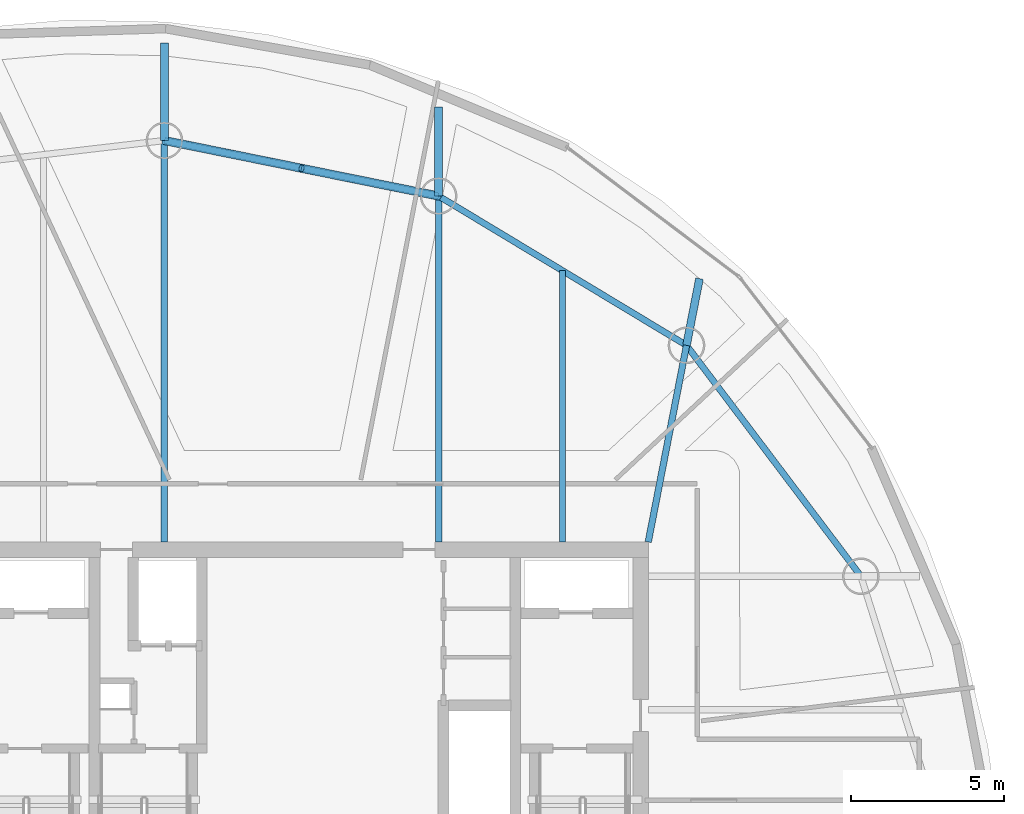
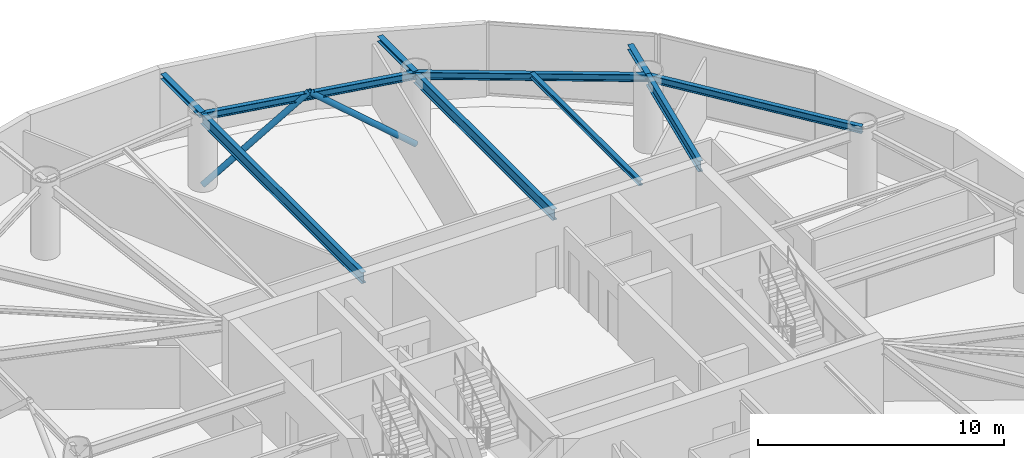
# One storey, part 9 of 16: 10 beams, 2 members.
"""IFC4 building model written with IfcOpenShell, lengths in metres."""

from ifc_helpers import new_model, si_unit, direction, frame, origin, origin_2d, place, context, subcontext, project, spatial, hollow_circle, i_section, extrude, material, material_profile, profile_set, type_object, element, save


model = new_model("IFC4")

# Units and contexts
model_context = context("Model", 3, precision=1e-05, world=origin(), true_north=direction((0.0, 1.0)))
body_context = subcontext(model_context, "Body", "Model", "MODEL_VIEW")
ifc_project = project(units=[si_unit("LENGTHUNIT", "METRE"), si_unit("AREAUNIT", "SQUARE_METRE"), si_unit("VOLUMEUNIT", "CUBIC_METRE"), si_unit("PLANEANGLEUNIT", "RADIAN"), si_unit("MASSUNIT", "GRAM", prefix="KILO")], contexts=[model_context])

# Site, building, storey
site_placement = place(None, origin())
site = spatial("IfcSite", under=ifc_project, at=site_placement, CompositionType="ELEMENT")
building_placement = place(site_placement, origin())
building = spatial("IfcBuilding", under=site, at=building_placement, Name="Bramvorn Convention Spire", CompositionType="ELEMENT")
storey_placement = place(building_placement, frame((0.0, 0.0, 209.699951171875)))
storey = spatial("IfcBuildingStorey", under=building, at=storey_placement, Name="L53", CompositionType="ELEMENT", Elevation=209.699951171875)

# Beams
ifc_material = material(Name="Steel CSA G40.21 Grade 350 (350W)", Category="steel")
ifc_material_profile_1 = material_profile(ifc_material, i_section(OverallWidth=0.201904296875, OverallDepth=0.2470703125, WebThickness=0.00732421875, FlangeThickness=0.010986328125, FilletRadius=0.011962890625, at=origin_2d()))
ifc_profile_set_1 = profile_set([ifc_material_profile_1], Name="Steel CSA G40.21 Grade 350 (350W) - W250X49")
beam_type_1 = type_object("IfcBeamType", Name="BM-W250X49", PredefinedType="JOIST", material=ifc_profile_set_1)
beam_1_placement = place(storey_placement, frame((46.445556640625, 33.449951171875, 3.49658203125), z_axis=(0.0, 1.0, 0.0), x_axis=(-1.0, 0.0, 0.0)))
element("IfcBeam", 1, at=beam_1_placement, inside=storey, type_object=beam_type_1, Name="L53 composite floor joist 05", PredefinedType="JOIST", context=body_context, shape_type="SweptSolid", body=[
    extrude(i_section(OverallWidth=0.201904296875, OverallDepth=0.2470703125, WebThickness=0.00732421875, FlangeThickness=0.010986328125, FilletRadius=0.011962890625, at=origin_2d()), origin(), (0.0, 0.0, 1.0), 8.878662109375),
])
ifc_material_profile_2 = material_profile(ifc_material, i_section(OverallWidth=0.25390625, OverallDepth=0.2529296875, WebThickness=0.008544921875, FlangeThickness=0.01416015625, FilletRadius=0.011962890625, at=origin_2d()))
ifc_profile_set_2 = profile_set([ifc_material_profile_2], Name="Steel CSA G40.21 Grade 350 (350W) - W250X73")
beam_type_2 = type_object("IfcBeamType", Name="BM-W250X73", PredefinedType="BEAM", material=ifc_profile_set_2)
beam_2_placement = place(storey_placement, frame((50.501953125, 39.885009765625, 3.49365234375), z_axis=(0.191025395902, 0.981585094691, 0.0), x_axis=(-0.981585094691, 0.191025395902, 0.0)))
element("IfcBeam", 2, at=beam_2_placement, inside=storey, type_object=beam_type_2, Name="L53 slab-edge cantilever tip beam MC05", PredefinedType="BEAM", context=body_context, shape_type="SweptSolid", body=[
    extrude(i_section(OverallWidth=0.25390625, OverallDepth=0.2529296875, WebThickness=0.008544921875, FlangeThickness=0.01416015625, FilletRadius=0.011962890625, at=origin_2d()), origin(), (0.0, 0.0, 1.0), 2.223876953125),
])
beam_3_placement = place(storey_placement, frame((42.38916015625, 44.772216796875, 3.49365234375), z_axis=(0.0, 1.0, 0.0), x_axis=(-1.0, 0.0, 0.0)))
element("IfcBeam", 3, at=beam_3_placement, inside=storey, type_object=beam_type_2, Name="L53 slab-edge cantilever tip beam MC06", PredefinedType="BEAM", context=body_context, shape_type="SweptSolid", body=[
    extrude(i_section(OverallWidth=0.25390625, OverallDepth=0.2529296875, WebThickness=0.008544921875, FlangeThickness=0.01416015625, FilletRadius=0.011962890625, at=origin_2d()), origin(), (0.0, 0.0, 1.0), 2.9150390625),
])
beam_4_placement = place(storey_placement, frame((33.416259765625, 46.58837890625, 3.49365234375), z_axis=(0.0, 1.0, 0.0), x_axis=(-1.0, 0.0, 0.0)))
element("IfcBeam", 4, at=beam_4_placement, inside=storey, type_object=beam_type_2, Name="L53 slab-edge cantilever tip beam MC07", PredefinedType="BEAM", context=body_context, shape_type="SweptSolid", body=[
    extrude(i_section(OverallWidth=0.25390625, OverallDepth=0.2529296875, WebThickness=0.008544921875, FlangeThickness=0.01416015625, FilletRadius=0.011962890625, at=origin_2d()), origin(), (0.0, 0.0, 1.0), 3.199951171875),
])
ifc_material_profile_3 = material_profile(ifc_material, i_section(OverallWidth=0.205078125, OverallDepth=0.35400390625, WebThickness=0.009521484375, FlangeThickness=0.016845703125, FilletRadius=0.014892578125, at=origin_2d()))
ifc_profile_set_3 = profile_set([ifc_material_profile_3], Name="Steel CSA G40.21 Grade 350 (350W) - W360X79")
beam_type_3 = type_object("IfcBeamType", Name="BM-W360X79", PredefinedType="JOIST", material=ifc_profile_set_3)
for number, where, z_axis, x_axis, name in (
    (5, (56.21044921875, 32.327392578125, 3.443115234375), (-0.602718581414, 0.797953827999, 0.0), (-0.797953827999, -0.602718581414, 0.0), "L53 mega-column ring beam 04"),
    (6, (50.501953125, 39.885009765625, 3.443115234375), (-0.856581795745, 0.516011266543, 0.0), (-0.516011266543, -0.856581795745, 0.0), "L53 mega-column ring beam 05"),
):
    element("IfcBeam", number, at=place(storey_placement, frame(where, z_axis=z_axis, x_axis=x_axis)), inside=storey, type_object=beam_type_3, Name=name, PredefinedType="JOIST", context=body_context, shape_type="SweptSolid", body=[
        extrude(i_section(OverallWidth=0.205078125, OverallDepth=0.35400390625, WebThickness=0.009521484375, FlangeThickness=0.016845703125, FilletRadius=0.014892578125, at=origin_2d()), origin(), (0.0, 0.0, 1.0), 9.47119140625),
    ])
beam_5_placement = place(storey_placement, frame((42.38916015625, 44.772216796875, 3.443115234375), z_axis=(-0.980124701676, 0.198382381187, 0.0), x_axis=(-0.198382381187, -0.980124701676, 0.0)))
element("IfcBeam", 7, at=beam_5_placement, inside=storey, type_object=beam_type_3, Name="L53 mega-column ring beam 06", PredefinedType="JOIST", context=body_context, shape_type="SweptSolid", body=[
    extrude(i_section(OverallWidth=0.205078125, OverallDepth=0.35400390625, WebThickness=0.009521484375, FlangeThickness=0.016845703125, FilletRadius=0.014892578125, at=origin_2d()), origin(), (0.0, 0.0, 1.0), 9.15478515625),
])
ifc_material_profile_4 = material_profile(ifc_material, i_section(OverallWidth=0.2119140625, OverallDepth=0.5439453125, WebThickness=0.01318359375, FlangeThickness=0.021240234375, FilletRadius=0.01904296875, at=origin_2d()))
ifc_profile_set_4 = profile_set([ifc_material_profile_4], Name="Steel CSA G40.21 Grade 350 (350W) - W530X123")
beam_type_4 = type_object("IfcBeamType", Name="BM-W530X123", PredefinedType="BEAM", material=ifc_profile_set_4)
beam_6_placement = place(storey_placement, frame((49.25, 33.449951171875, 3.34814453125), z_axis=(0.190971329886, 0.981595614885, 0.0), x_axis=(-0.981595614885, 0.190971329886, 0.0)))
element("IfcBeam", 8, at=beam_6_placement, inside=storey, type_object=beam_type_4, Name="L53 radial floor girder MC05", PredefinedType="BEAM", context=body_context, shape_type="SweptSolid", body=[
    extrude(i_section(OverallWidth=0.2119140625, OverallDepth=0.5439453125, WebThickness=0.01318359375, FlangeThickness=0.021240234375, FilletRadius=0.01904296875, at=origin_2d()), origin(), (0.0, 0.0, 1.0), 6.5556640625),
])
beam_7_placement = place(storey_placement, frame((42.38916015625, 33.449951171875, 3.34814453125), z_axis=(0.0, 1.0, 0.0), x_axis=(-1.0, 0.0, 0.0)))
element("IfcBeam", 9, at=beam_7_placement, inside=storey, type_object=beam_type_4, Name="L53 radial floor girder MC06", PredefinedType="BEAM", context=body_context, shape_type="SweptSolid", body=[
    extrude(i_section(OverallWidth=0.2119140625, OverallDepth=0.5439453125, WebThickness=0.01318359375, FlangeThickness=0.021240234375, FilletRadius=0.01904296875, at=origin_2d()), origin(), (0.0, 0.0, 1.0), 11.322265625),
])
beam_8_placement = place(storey_placement, frame((33.416259765625, 33.449951171875, 3.34814453125), z_axis=(0.0, 1.0, 0.0), x_axis=(-1.0, 0.0, 0.0)))
element("IfcBeam", 10, at=beam_8_placement, inside=storey, type_object=beam_type_4, Name="L53 radial floor girder MC07", PredefinedType="BEAM", context=body_context, shape_type="SweptSolid", body=[
    extrude(i_section(OverallWidth=0.2119140625, OverallDepth=0.5439453125, WebThickness=0.01318359375, FlangeThickness=0.021240234375, FilletRadius=0.01904296875, at=origin_2d()), origin(), (0.0, 0.0, 1.0), 13.138427734375),
])

# Members
ifc_material_profile_5 = material_profile(ifc_material, hollow_circle(Radius=0.136474609375, WallThickness=0.0126953125, at=origin_2d()))
ifc_profile_set_5 = profile_set([ifc_material_profile_5], Name="Steel CSA G40.21 Grade 350 (350W) - CHS273X13")
member_type = type_object("IfcMemberType", Name="MBR-CHS273X13", PredefinedType="BRACE", material=ifc_profile_set_5)
for number, where, z_axis, x_axis, name in (
    (11, (42.38916015625, 44.772216796875, 0.0), (-0.768774413927, 0.155578823823, 0.62030728681), (-0.198351578089, -0.98013093588, 0.0), "L53 perimeter Gothic lancet brace 6A"),
    (12, (33.416259765625, 46.58837890625, 0.0), (0.768752299453, -0.155624649215, 0.620323198536), (0.198413185373, 0.980118466243, 0.0), "L53 perimeter Gothic lancet brace 6B"),
):
    element("IfcMember", number, at=place(storey_placement, frame(where, z_axis=z_axis, x_axis=x_axis)), inside=storey, type_object=member_type, Name=name, PredefinedType="BRACE", context=body_context, shape_type="SweptSolid", body=[
        extrude(hollow_circle(Radius=0.136474609375, WallThickness=0.0126953125, at=origin_2d()), origin(), (0.0, 0.0, 1.0), 5.8359375),
    ])

save(model, "model.ifc")
